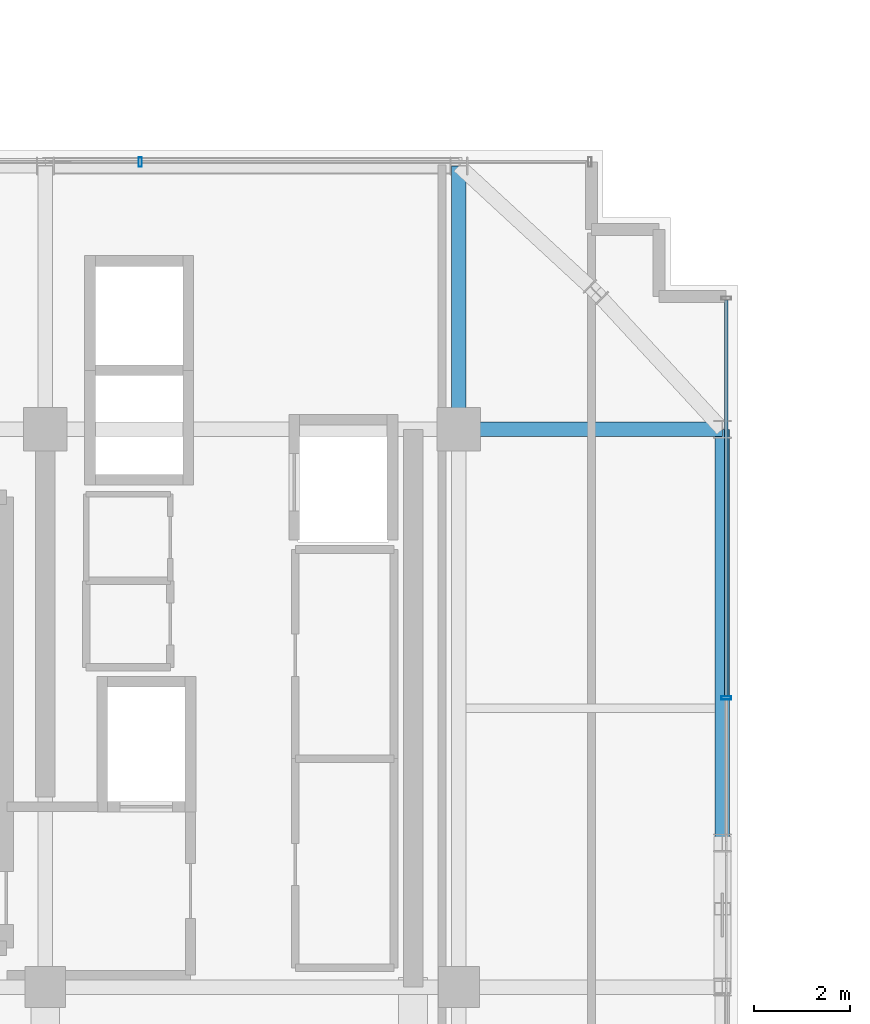
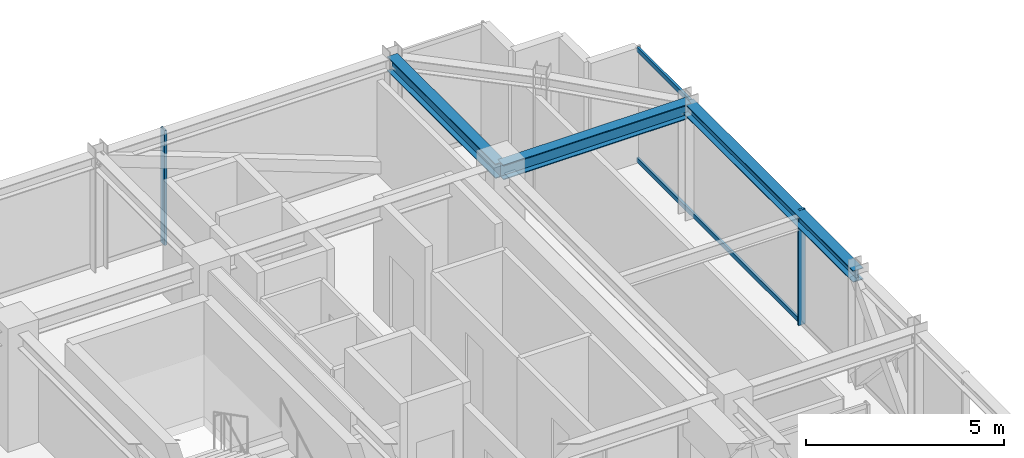
# One storey, part 29 of 39: 4 members, 3 beams, 2 elements without a shape of their own.
"""IFC4 building model written with IfcOpenShell, lengths in metres."""

from ifc_helpers import new_model, si_unit, direction, frame, origin, origin_2d, place, context, subcontext, project, spatial, hollow_rectangle, i_section, extrude, source, transform, mapped, material, material_profile, profile_set, type_object, element, aggregate, save


model = new_model("IFC4")

# Units and contexts
model_context = context("Model", 3, precision=1e-05, world=origin(), true_north=direction((0.0, 1.0)))
body_context = subcontext(model_context, "Body", "Model", "MODEL_VIEW")
ifc_project = project(units=[si_unit("LENGTHUNIT", "METRE"), si_unit("AREAUNIT", "SQUARE_METRE"), si_unit("VOLUMEUNIT", "CUBIC_METRE"), si_unit("PLANEANGLEUNIT", "RADIAN"), si_unit("MASSUNIT", "GRAM", prefix="KILO")], contexts=[model_context])

# Site, building, storey
site_placement = place(None, origin())
site = spatial("IfcSite", under=ifc_project, at=site_placement, CompositionType="ELEMENT")
building_placement = place(site_placement, origin())
building = spatial("IfcBuilding", under=site, at=building_placement, Name="Nahalor Promenade Grand Hotel", CompositionType="ELEMENT")
storey_placement = place(building_placement, frame((0.0, 0.0, 311.89990234375)))
storey = spatial("IfcBuildingStorey", under=building, at=storey_placement, Name="L80", CompositionType="ELEMENT", Elevation=311.89990234375)

# Beams
ifc_material_1 = material(Name="Steel S355JR", Category="steel")
ifc_material_profile_1 = material_profile(ifc_material_1, i_section(OverallWidth=0.3, OverallDepth=0.45, WebThickness=0.014, FlangeThickness=0.026, at=origin_2d()), Name="HEB 450")
ifc_profile_set_1 = profile_set([ifc_material_profile_1], Name="Steel S355JR")
beam_type_1 = type_object("IfcBeamType", Name="Beam-Girder-HEB450", PredefinedType="BEAM", material=ifc_profile_set_1)
shared_shape_1 = source(origin(), body_context, "Body", "SweptSolid", [
    extrude(i_section(OverallWidth=0.3, OverallDepth=0.45, WebThickness=0.014, FlangeThickness=0.026, at=origin_2d()), origin(), (0.0, 0.0, 1.0), 5.47998046875),
])
for number, where, z_axis, x_axis, name in (
    (1, (17.0, 17.0, 3.3251953125), (1.0, 0.0, 0.0), (0.0, 1.0, 0.0), "BM-L80-GX-3-6"),
    (2, (17.0, 17.0, 3.3251953125), (0.0, 1.0, 0.0), (-1.0, 0.0, 0.0), "BM-L80-GY-5-4"),
):
    element("IfcBeam", number, at=place(storey_placement, frame(where, z_axis=z_axis, x_axis=x_axis)), inside=storey, type_object=beam_type_1, Name=name, PredefinedType="BEAM", context=body_context, shape_type="MappedRepresentation", body=[
        mapped(shared_shape_1, transform((0.0, 0.0, 0.0), scale=1.0)),
    ])
ifc_material_profile_2 = material_profile(ifc_material_1, i_section(OverallWidth=0.3, OverallDepth=0.36, WebThickness=0.0125, FlangeThickness=0.0225, at=origin_2d()), Name="HEB 360")
ifc_profile_set_2 = profile_set([ifc_material_profile_2], Name="Steel S355JR")
beam_type_2 = type_object("IfcBeamType", Name="Beam-Spandrel-HEB360", PredefinedType="SPANDREL", material=ifc_profile_set_2)
shared_shape_2 = source(origin(), body_context, "Body", "SweptSolid", [
    extrude(i_section(OverallWidth=0.3, OverallDepth=0.36, WebThickness=0.0125, FlangeThickness=0.0225, at=origin_2d()), origin(), (0.0, 0.0, 1.0), 8.60009765625),
])
beam_placement = place(storey_placement, frame((22.47998046875, 8.39990234375, 3.3701171875), z_axis=(0.0, 1.0, 0.0), x_axis=(-1.0, 0.0, 0.0)))
element("IfcBeam", 3, at=beam_placement, inside=storey, type_object=beam_type_2, Name="BM-L80-SP-E-4", PredefinedType="SPANDREL", context=body_context, shape_type="MappedRepresentation", body=[
    mapped(shared_shape_2, transform((0.0, 0.0, 0.0), scale=1.0)),
])

# Curtain wall, member
ifc_material_2 = material(Name="Anodised Bronze Aluminium EN AW-6063 T6", Category="aluminium")
curtain_wall_type = type_object("IfcCurtainWallType", Name="CW3 Elliptical-Void Collar Unitised Curtain Wall", PredefinedType="USERDEFINED", material=ifc_material_2)
curtain_wall_1_placement = place(storey_placement, origin())
curtain_wall_1 = element("IfcCurtainWall", 4, at=curtain_wall_1_placement, inside=storey, type_object=curtain_wall_type, Name="L80 Curtain Wall CW-L80-N-3", ObjectType="UNITISED_CURTAIN_WALL", PredefinedType="USERDEFINED")
ifc_material_profile_3 = material_profile(ifc_material_2, hollow_rectangle(XDim=0.07, YDim=0.2, WallThickness=0.005, at=origin_2d()), Name="CWM 70x200x5")
ifc_profile_set_3 = profile_set([ifc_material_profile_3], Name="Anodised Bronze Aluminium EN AW-6063 T6")
member_type_1 = type_object("IfcMemberType", Name="CWM3 Void Collar Mullion 70x200", PredefinedType="MULLION", material=ifc_profile_set_3)
shared_shape_3 = source(origin(), body_context, "Body", "SweptSolid", [
    extrude(hollow_rectangle(XDim=0.07, YDim=0.2, WallThickness=0.005, at=origin_2d()), origin(), (0.0, 0.0, 1.0), 3.550048828125),
])
member_1_placement = place(storey_placement, frame((10.373291015625, 22.56005859375, 0.0), z_axis=(0.0, 0.0, 1.0), x_axis=(1.0, 0.0, 0.0)))
member_1 = element("IfcMember", 5, at=member_1_placement, type_object=member_type_1, Name="CW-L80-N-3 Mullion 2", PredefinedType="MULLION", context=body_context, shape_type="MappedRepresentation", body=[
    mapped(shared_shape_3, transform((0.0, 0.0, 0.0), scale=1.0)),
])
aggregate(curtain_wall_1, [member_1])

# Curtain wall, members
curtain_wall_2_placement = place(storey_placement, origin())
curtain_wall_2 = element("IfcCurtainWall", 6, at=curtain_wall_2_placement, inside=storey, type_object=curtain_wall_type, Name="L80 Curtain Wall CW-L80-E-4", ObjectType="UNITISED_CURTAIN_WALL", PredefinedType="USERDEFINED")
member_2_placement = place(storey_placement, frame((22.56005859375, 11.41552734375, 0.0), z_axis=(0.0, 0.0, 1.0), x_axis=(0.0, 1.0, 0.0)))
member_2 = element("IfcMember", 7, at=member_2_placement, type_object=member_type_1, Name="CW-L80-E-4 Mullion 1", PredefinedType="MULLION", context=body_context, shape_type="MappedRepresentation", body=[
    mapped(shared_shape_3, transform((0.0, 0.0, 0.0), scale=1.0)),
])
ifc_material_profile_4 = material_profile(ifc_material_2, hollow_rectangle(XDim=0.07, YDim=0.14, WallThickness=0.004, at=origin_2d()), Name="CWT 70x140x4")
ifc_profile_set_4 = profile_set([ifc_material_profile_4], Name="Anodised Bronze Aluminium EN AW-6063 T6")
member_type_2 = type_object("IfcMemberType", Name="CWT3 Void Collar Transom 70x140", PredefinedType="USERDEFINED", material=ifc_profile_set_4)
shared_shape_4 = source(origin(), body_context, "Body", "SweptSolid", [
    extrude(hollow_rectangle(XDim=0.07, YDim=0.14, WallThickness=0.004, at=origin_2d()), origin(), (0.0, 0.0, 1.0), 8.239501953125),
])
member_3_placement = place(storey_placement, frame((22.56005859375, 11.450439453125, 0.070068359375), z_axis=(0.0, 1.0, 0.0), x_axis=(-1.0, 0.0, 0.0)))
member_3 = element("IfcMember", 8, at=member_3_placement, type_object=member_type_2, Name="CW-L80-E-4 Transom 1-0", ObjectType="TRANSOM", PredefinedType="USERDEFINED", context=body_context, shape_type="MappedRepresentation", body=[
    mapped(shared_shape_4, transform((0.0, 0.0, 0.0), scale=1.0)),
])
member_4_placement = place(storey_placement, frame((22.56005859375, 11.450439453125, 3.47998046875), z_axis=(0.0, 1.0, 0.0), x_axis=(-1.0, 0.0, 0.0)))
member_4 = element("IfcMember", 9, at=member_4_placement, type_object=member_type_2, Name="CW-L80-E-4 Transom 1-1", ObjectType="TRANSOM", PredefinedType="USERDEFINED", context=body_context, shape_type="MappedRepresentation", body=[
    mapped(shared_shape_4, transform((0.0, 0.0, 0.0), scale=1.0)),
])
aggregate(curtain_wall_2, [member_2, member_3, member_4])

save(model, "model.ifc")
